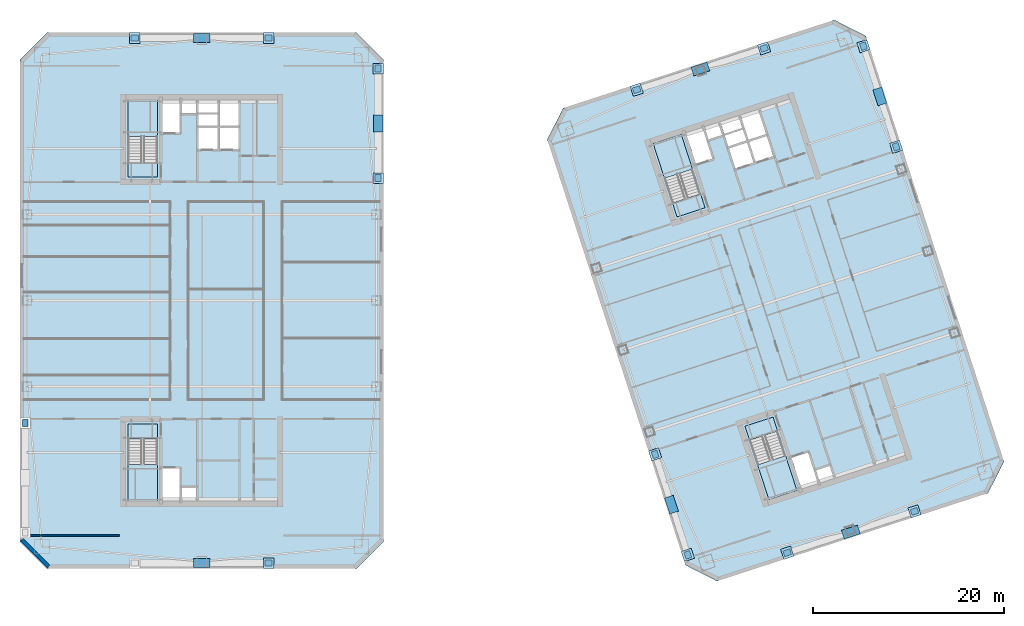
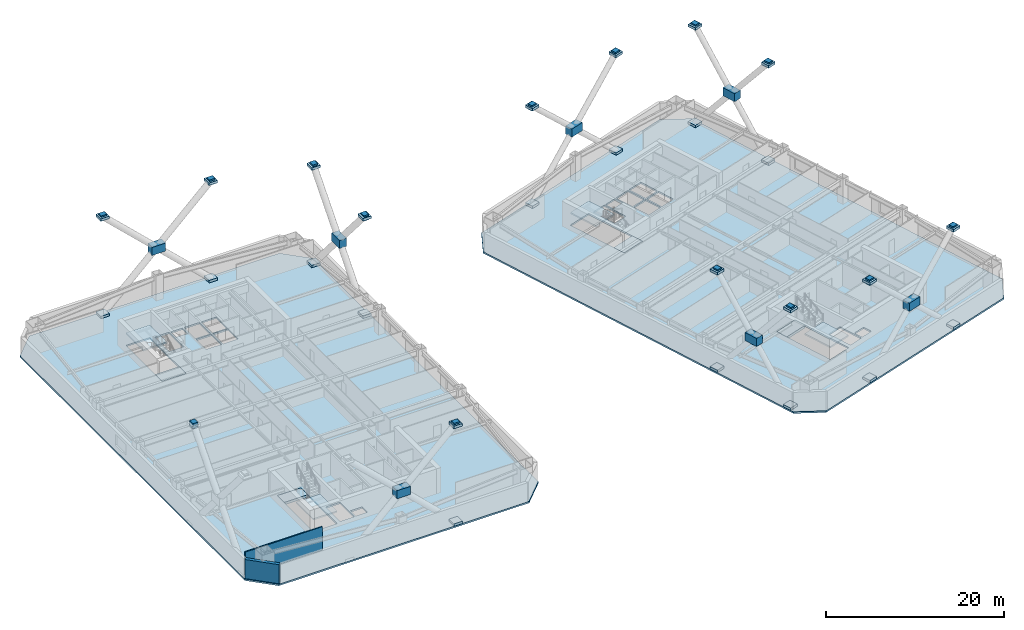
# One storey, part 3 of 12: 47 plates, 10 slabs, 2 walls, 4 elements without a shape of their own.
"""IFC4 building model written with IfcOpenShell, lengths in metres."""

from ifc_helpers import new_model, si_unit, direction, frame, frame_2d, origin, origin_2d, place, context, subcontext, project, spatial, polyline, rectangle, outline, extrude, material, layer, layer_set, type_object, element, aggregate, save


model = new_model("IFC4")

# Units and contexts
model_context = context("Model", 3, precision=1e-05, world=origin(), true_north=direction((0.0, 1.0)))
body_context = subcontext(model_context, "Body", "Model", "MODEL_VIEW")
ifc_project = project(units=[si_unit("LENGTHUNIT", "METRE"), si_unit("AREAUNIT", "SQUARE_METRE"), si_unit("VOLUMEUNIT", "CUBIC_METRE"), si_unit("PLANEANGLEUNIT", "RADIAN"), si_unit("MASSUNIT", "GRAM", prefix="KILO")], contexts=[model_context])

# Site, building, storey
site_placement = place(None, origin())
site = spatial("IfcSite", under=ifc_project, at=site_placement, CompositionType="ELEMENT")
building_placement = place(site_placement, origin())
building = spatial("IfcBuilding", under=site, at=building_placement, Name="Qiaolan Cultural Towers", CompositionType="ELEMENT")
storey_placement = place(building_placement, frame((0.0, 0.0, 106.949951171875)))
storey = spatial("IfcBuildingStorey", under=building, at=storey_placement, Name="L27", CompositionType="ELEMENT", Elevation=106.949951171875)

# Plates
ifc_material_1 = material(Name="Steel Q355B", Category="steel")
ifc_layer_1 = layer(ifc_material_1, 0.035888671875)
ifc_layer_set_1 = layer_set([ifc_layer_1], Name="Steel Q355B")
plate_type_1 = type_object("IfcPlateType", Name="PL-CONN-36", PredefinedType="USERDEFINED", material=ifc_layer_set_1)
for number, where, z_axis, x_axis, name in (
    (1, (11.550048828125, 21.199951171875, 13.1298828125), (0.0, 0.0, 1.0), (0.0, 1.0, 0.0), "L27 Brace End Connection Gusset Plate GP-02-0260"),
    (2, (48.449951171875, 58.25, 13.1298828125), (0.0, 0.0, 1.0), (0.0, 1.0, 0.0), "L27 Brace End Connection Gusset Plate GP-02-0262"),
    (3, (48.449951171875, 46.800048828125, 13.1298828125), (0.0, 0.0, 1.0), (0.0, 1.0, 0.0), "L27 Brace End Connection Gusset Plate GP-02-0263"),
    (4, (37.0, 6.550048828125, 13.1298828125), (0.0, 0.0, 1.0), (1.0, 0.0, 0.0), "L27 Brace End Connection Gusset Plate GP-02-0264"),
    (5, (37.0, 61.449951171875, 13.1298828125), (0.0, 0.0, 1.0), (1.0, 0.0, 0.0), "L27 Brace End Connection Gusset Plate GP-02-0266"),
    (6, (23.0, 61.449951171875, 13.1298828125), (0.0, 0.0, 1.0), (1.0, 0.0, 0.0), "L27 Brace End Connection Gusset Plate GP-02-0267"),
    (7, (77.40234375, 17.920166015625, 13.1298828125), (0.0, 0.0, 1.0), (-0.309016994375, 0.951056516295, 0.0), "L27 Brace End Connection Gusset Plate GP-02-0484"),
    (8, (80.817138671875, 7.410888671875, 13.1298828125), (0.0, 0.0, 1.0), (-0.309016994375, 0.951056516295, 0.0), "L27 Brace End Connection Gusset Plate GP-02-0485"),
    (9, (99.182861328125, 60.589111328125, 13.1298828125), (0.0, 0.0, 1.0), (-0.309016994375, 0.951056516295, 0.0), "L27 Brace End Connection Gusset Plate GP-02-0486"),
    (10, (102.59765625, 50.079833984375, 13.1298828125), (0.0, 0.0, 1.0), (-0.309016994375, 0.951056516295, 0.0), "L27 Brace End Connection Gusset Plate GP-02-0487"),
    (11, (104.52197265625, 11.958740234375, 13.1298828125), (0.0, 0.0, 1.0), (0.951056510902, 0.309017010974, 0.0), "L27 Brace End Connection Gusset Plate GP-02-0488"),
    (12, (91.20703125, 7.632568359375, 13.1298828125), (0.0, 0.0, 1.0), (0.951056510902, 0.309017010974, 0.0), "L27 Brace End Connection Gusset Plate GP-02-0489"),
    (13, (88.79296875, 60.367431640625, 13.1298828125), (0.0, 0.0, 1.0), (0.951056510902, 0.309017010974, 0.0), "L27 Brace End Connection Gusset Plate GP-02-0490"),
    (14, (75.47802734375, 56.041259765625, 13.1298828125), (0.0, 0.0, 1.0), (0.951056510902, 0.309017010974, 0.0), "L27 Brace End Connection Gusset Plate GP-02-0491"),
):
    element("IfcPlate", number, at=place(storey_placement, frame(where, z_axis=z_axis, x_axis=x_axis)), inside=storey, type_object=plate_type_1, Name=name, ObjectType="GUSSET_PLATE", PredefinedType="USERDEFINED", context=body_context, shape_type="SweptSolid", body=[
        extrude(rectangle(XDim=0.739990234375, YDim=0.6201171875, at=origin_2d()), origin(), (0.0, 0.0, 1.0), 0.739990234375),
    ])
ifc_material_2 = material(Name="Steel Q355B", Category="steel")
ifc_layer_2 = layer(ifc_material_2, 0.030029296875)
ifc_layer_set_2 = layer_set([ifc_layer_2], Name="Steel Q355B")
plate_type_2 = type_object("IfcPlateType", Name="PL-ENDCAP-30", PredefinedType="USERDEFINED", material=ifc_layer_set_2)
for number, where, z_axis, x_axis, name in (
    (15, (48.449951171875, 46.800048828125, -0.02490234375), (0.0, 0.0, 1.0), (0.0, 1.0, 0.0), "Hollow Brace End Seal Cap Plate CP-01"),
    (16, (48.449951171875, 58.25, -0.02490234375), (0.0, 0.0, 1.0), (0.0, 1.0, 0.0), "Hollow Brace End Seal Cap Plate CP-01"),
    (17, (48.449951171875, 46.800048828125, 13.324951171875), (0.0, 0.0, 1.0), (0.0, 1.0, 0.0), "Hollow Brace End Seal Cap Plate CP-01"),
    (18, (48.449951171875, 58.25, 13.324951171875), (0.0, 0.0, 1.0), (0.0, 1.0, 0.0), "Hollow Brace End Seal Cap Plate CP-01"),
    (19, (37.0, 6.550048828125, -0.02490234375), (0.0, 0.0, 1.0), (1.0, 0.0, 0.0), "Hollow Brace End Seal Cap Plate CP-01"),
    (20, (37.0, 6.550048828125, 13.324951171875), (0.0, 0.0, 1.0), (1.0, 0.0, 0.0), "Hollow Brace End Seal Cap Plate CP-01"),
    (21, (23.0, 61.449951171875, -0.02490234375), (0.0, 0.0, 1.0), (1.0, 0.0, 0.0), "Hollow Brace End Seal Cap Plate CP-01"),
    (22, (37.0, 61.449951171875, -0.02490234375), (0.0, 0.0, 1.0), (1.0, 0.0, 0.0), "Hollow Brace End Seal Cap Plate CP-01"),
    (23, (23.0, 61.449951171875, 13.324951171875), (0.0, 0.0, 1.0), (1.0, 0.0, 0.0), "Hollow Brace End Seal Cap Plate CP-01"),
    (24, (37.0, 61.449951171875, 13.324951171875), (0.0, 0.0, 1.0), (1.0, 0.0, 0.0), "Hollow Brace End Seal Cap Plate CP-01"),
    (25, (80.817138671875, 7.410888671875, -0.02490234375), (0.0, 0.0, 1.0), (-0.309016994375, 0.951056516295, 0.0), "Hollow Brace End Seal Cap Plate CP-01"),
    (26, (77.40234375, 17.920166015625, -0.02490234375), (0.0, 0.0, 1.0), (-0.309016994375, 0.951056516295, 0.0), "Hollow Brace End Seal Cap Plate CP-01"),
    (27, (80.817138671875, 7.410888671875, 13.324951171875), (0.0, 0.0, 1.0), (-0.309016994375, 0.951056516295, 0.0), "Hollow Brace End Seal Cap Plate CP-01"),
    (28, (77.40234375, 17.920166015625, 13.324951171875), (0.0, 0.0, 1.0), (-0.309016994375, 0.951056516295, 0.0), "Hollow Brace End Seal Cap Plate CP-01"),
    (29, (102.59765625, 50.079833984375, -0.02490234375), (0.0, 0.0, 1.0), (-0.309016994375, 0.951056516295, 0.0), "Hollow Brace End Seal Cap Plate CP-01"),
    (30, (99.182861328125, 60.589111328125, -0.02490234375), (0.0, 0.0, 1.0), (-0.309016994375, 0.951056516295, 0.0), "Hollow Brace End Seal Cap Plate CP-01"),
    (31, (102.59765625, 50.079833984375, 13.324951171875), (0.0, 0.0, 1.0), (-0.309016994375, 0.951056516295, 0.0), "Hollow Brace End Seal Cap Plate CP-01"),
    (32, (99.182861328125, 60.589111328125, 13.324951171875), (0.0, 0.0, 1.0), (-0.309016994375, 0.951056516295, 0.0), "Hollow Brace End Seal Cap Plate CP-01"),
    (33, (91.20703125, 7.632568359375, -0.02490234375), (0.0, 0.0, 1.0), (0.951056516295, 0.309016994375, 0.0), "Hollow Brace End Seal Cap Plate CP-01"),
    (34, (104.52197265625, 11.958740234375, -0.02490234375), (0.0, 0.0, 1.0), (0.951056516295, 0.309016994375, 0.0), "Hollow Brace End Seal Cap Plate CP-01"),
    (35, (91.20703125, 7.632568359375, 13.324951171875), (0.0, 0.0, 1.0), (0.951056516295, 0.309016994375, 0.0), "Hollow Brace End Seal Cap Plate CP-01"),
    (36, (104.52197265625, 11.958740234375, 13.324951171875), (0.0, 0.0, 1.0), (0.951056516295, 0.309016994375, 0.0), "Hollow Brace End Seal Cap Plate CP-01"),
    (37, (75.47802734375, 56.041259765625, -0.02490234375), (0.0, 0.0, 1.0), (0.951056516295, 0.309016994375, 0.0), "Hollow Brace End Seal Cap Plate CP-01"),
    (38, (88.79296875, 60.367431640625, -0.02490234375), (0.0, 0.0, 1.0), (0.951056516295, 0.309016994375, 0.0), "Hollow Brace End Seal Cap Plate CP-01"),
    (39, (75.47802734375, 56.041259765625, 13.324951171875), (0.0, 0.0, 1.0), (0.951056516295, 0.309016994375, 0.0), "Hollow Brace End Seal Cap Plate CP-01"),
    (40, (88.79296875, 60.367431640625, 13.324951171875), (0.0, 0.0, 1.0), (0.951056516295, 0.309016994375, 0.0), "Hollow Brace End Seal Cap Plate CP-01"),
):
    element("IfcPlate", number, at=place(storey_placement, frame(where, z_axis=z_axis, x_axis=x_axis)), inside=storey, type_object=plate_type_2, Name=name, ObjectType="BASE_PLATE", PredefinedType="USERDEFINED", context=body_context, shape_type="SweptSolid", body=[
        extrude(rectangle(XDim=1.10009765625, YDim=1.10009765625, at=origin_2d()), origin(), (0.0, 0.0, 1.0), 0.35009765625),
    ])
ifc_material_3 = material(Name="Steel Q390GJB", Category="steel")
ifc_layer_3 = layer(ifc_material_3, 0.0419921875)
ifc_layer_set_3 = layer_set([ifc_layer_3], Name="Steel Q390GJB")
plate_type_3 = type_object("IfcPlateType", Name="PL-NODE-ND01", PredefinedType="USERDEFINED", material=ifc_layer_set_3)
plate_1_placement = place(storey_placement, frame((30.0, 61.449951171875, 6.27490234375), z_axis=(0.0, 0.0, 1.0), x_axis=(1.0, 0.0, 0.0)))
element("IfcPlate", 41, at=plate_1_placement, inside=storey, type_object=plate_type_3, Name="Perimeter Frame Gusset Node Assembly ND-01", ObjectType="GUSSET_PLATE", PredefinedType="USERDEFINED", context=body_context, shape_type="SweptSolid", body=[
    extrude(rectangle(XDim=1.760009765625, YDim=0.9599609375, at=origin_2d()), origin(), (0.0, 0.0, 1.0), 1.10009765625),
])
ifc_material_4 = material(Name="Steel Q390GJB", Category="steel")
ifc_layer_4 = layer(ifc_material_4, 0.0439453125)
ifc_layer_set_4 = layer_set([ifc_layer_4], Name="Steel Q390GJB")
plate_type_4 = type_object("IfcPlateType", Name="PL-NODE-ND06", PredefinedType="USERDEFINED", material=ifc_layer_set_4)
plate_2_placement = place(storey_placement, frame((79.109619140625, 12.66552734375, 6.27490234375), z_axis=(0.0, 0.0, 1.0), x_axis=(-0.309016994375, 0.951056516295, 0.0)))
element("IfcPlate", 42, at=plate_2_placement, inside=storey, type_object=plate_type_4, Name="Perimeter Frame Gusset Node Assembly ND-06", ObjectType="GUSSET_PLATE", PredefinedType="USERDEFINED", context=body_context, shape_type="SweptSolid", body=[
    extrude(rectangle(XDim=1.760009765625, YDim=0.9599609375, at=origin_2d()), origin(), (0.0, 0.0, 1.0), 1.10009765625),
])
ifc_material_5 = material(Name="Steel Q390GJB", Category="steel")
ifc_layer_5 = layer(ifc_material_5, 0.0458984375)
ifc_layer_set_5 = layer_set([ifc_layer_5], Name="Steel Q390GJB")
plate_type_5 = type_object("IfcPlateType", Name="PL-NODE-ND07", PredefinedType="USERDEFINED", material=ifc_layer_set_5)
plate_3_placement = place(storey_placement, frame((100.890380859375, 55.33447265625, 6.27490234375), z_axis=(0.0, 0.0, 1.0), x_axis=(-0.309016994375, 0.951056516295, 0.0)))
element("IfcPlate", 43, at=plate_3_placement, inside=storey, type_object=plate_type_5, Name="Perimeter Frame Gusset Node Assembly ND-07", ObjectType="GUSSET_PLATE", PredefinedType="USERDEFINED", context=body_context, shape_type="SweptSolid", body=[
    extrude(rectangle(XDim=1.760009765625, YDim=0.9599609375, at=origin_2d()), origin(), (0.0, 0.0, 1.0), 1.10009765625),
])
ifc_material_6 = material(Name="Steel Q390GJB", Category="steel")
ifc_layer_6 = layer(ifc_material_6, 0.0400390625)
ifc_layer_set_6 = layer_set([ifc_layer_6], Name="Steel Q390GJB")
plate_type_6 = type_object("IfcPlateType", Name="PL-NODE-ND08", PredefinedType="USERDEFINED", material=ifc_layer_set_6)
plate_4_placement = place(storey_placement, frame((97.864501953125, 9.795654296875, 6.27490234375), z_axis=(0.0, 0.0, 1.0), x_axis=(0.951056516295, 0.309016994375, 0.0)))
element("IfcPlate", 44, at=plate_4_placement, inside=storey, type_object=plate_type_6, Name="Perimeter Frame Gusset Node Assembly ND-08", ObjectType="GUSSET_PLATE", PredefinedType="USERDEFINED", context=body_context, shape_type="SweptSolid", body=[
    extrude(rectangle(XDim=1.760009765625, YDim=0.9599609375, at=origin_2d()), origin(), (0.0, 0.0, 1.0), 1.10009765625),
])
ifc_material_7 = material(Name="Steel Q390GJB", Category="steel")
ifc_layer_7 = layer(ifc_material_7, 0.0419921875)
ifc_layer_set_7 = layer_set([ifc_layer_7], Name="Steel Q390GJB")
plate_type_7 = type_object("IfcPlateType", Name="PL-NODE-ND09", PredefinedType="USERDEFINED", material=ifc_layer_set_7)
plate_5_placement = place(storey_placement, frame((82.135498046875, 58.204345703125, 6.27490234375), z_axis=(0.0, 0.0, 1.0), x_axis=(0.951056516295, 0.309016994375, 0.0)))
element("IfcPlate", 45, at=plate_5_placement, inside=storey, type_object=plate_type_7, Name="Perimeter Frame Gusset Node Assembly ND-09", ObjectType="GUSSET_PLATE", PredefinedType="USERDEFINED", context=body_context, shape_type="SweptSolid", body=[
    extrude(rectangle(XDim=1.760009765625, YDim=0.9599609375, at=origin_2d()), origin(), (0.0, 0.0, 1.0), 1.10009765625),
])
ifc_material_8 = material(Name="Steel Q390GJB", Category="steel")
ifc_layer_8 = layer(ifc_material_8, 0.0458984375)
ifc_layer_set_8 = layer_set([ifc_layer_8], Name="Steel Q390GJB")
plate_type_8 = type_object("IfcPlateType", Name="PL-NODE-ND11", PredefinedType="USERDEFINED", material=ifc_layer_set_8)
plate_6_placement = place(storey_placement, frame((48.449951171875, 52.52490234375, 6.27490234375), z_axis=(0.0, 0.0, 1.0), x_axis=(0.0, 1.0, 0.0)))
element("IfcPlate", 46, at=plate_6_placement, inside=storey, type_object=plate_type_8, Name="Perimeter Frame Gusset Node Assembly ND-11", ObjectType="GUSSET_PLATE", PredefinedType="USERDEFINED", context=body_context, shape_type="SweptSolid", body=[
    extrude(rectangle(XDim=1.760009765625, YDim=0.9599609375, at=origin_2d()), origin(), (0.0, 0.0, 1.0), 1.10009765625),
])
ifc_material_9 = material(Name="Steel Q390GJB", Category="steel")
ifc_layer_9 = layer(ifc_material_9, 0.0400390625)
ifc_layer_set_9 = layer_set([ifc_layer_9], Name="Steel Q390GJB")
plate_type_9 = type_object("IfcPlateType", Name="PL-NODE-ND12", PredefinedType="USERDEFINED", material=ifc_layer_set_9)
plate_7_placement = place(storey_placement, frame((30.0, 6.550048828125, 6.27490234375), z_axis=(0.0, 0.0, 1.0), x_axis=(1.0, 0.0, 0.0)))
element("IfcPlate", 47, at=plate_7_placement, inside=storey, type_object=plate_type_9, Name="Perimeter Frame Gusset Node Assembly ND-12", ObjectType="GUSSET_PLATE", PredefinedType="USERDEFINED", context=body_context, shape_type="SweptSolid", body=[
    extrude(rectangle(XDim=1.760009765625, YDim=0.9599609375, at=origin_2d()), origin(), (0.0, 0.0, 1.0), 1.10009765625),
])

# Stair, slab
ifc_material_10 = material(Name="Concrete C45", Category="concrete")
stair_type = type_object("IfcStairType", Name="STR-CORE-1500", PredefinedType="HALF_TURN_STAIR", material=ifc_material_10)
stair_1_placement = place(storey_placement, origin())
stair_1 = element("IfcStair", 48, at=stair_1_placement, inside=storey, type_object=stair_type, Name="L27 Smokeproof Exit Stair ST-W1", PredefinedType="HALF_TURN_STAIR")
ifc_material_11 = material(Name="Concrete C45", Category="concrete")
ifc_layer_10 = layer(ifc_material_11, 0.199951171875)
ifc_layer_set_10 = layer_set([ifc_layer_10], Name="Concrete C45")
slab_type_1 = type_object("IfcSlabType", Name="SL-STAIR-LAND", PredefinedType="LANDING", material=ifc_layer_set_10)
slab_1_placement = place(storey_placement, frame((0.0, 0.0, 1.525146484375)))
slab_1 = element("IfcSlab", 49, at=slab_1_placement, type_object=slab_type_1, Name="ST-W1 landing 1", PredefinedType="LANDING", context=body_context, shape_type="SweptSolid", body=[
    extrude(outline(polyline([(22.300048828125, 16.851318359375), (22.300048828125, 13.0), (25.3798828125, 13.0), (25.3798828125, 16.851318359375), (22.300048828125, 16.851318359375)])), origin(), (0.0, 0.0, 1.0), 0.199951171875),
])
aggregate(stair_1, [slab_1])

stair_2_placement = place(storey_placement, origin())
stair_2 = element("IfcStair", 50, at=stair_2_placement, inside=storey, type_object=stair_type, Name="L27 Smokeproof Exit Stair ST-W2", PredefinedType="HALF_TURN_STAIR")
slab_2_placement = place(storey_placement, frame((0.0, 0.0, 1.525146484375)))
slab_2 = element("IfcSlab", 51, at=slab_2_placement, type_object=slab_type_1, Name="ST-W2 landing 1", PredefinedType="LANDING", context=body_context, shape_type="SweptSolid", body=[
    extrude(outline(polyline([(25.3798828125, 51.148681640625), (25.3798828125, 55.0), (22.300048828125, 55.0), (22.300048828125, 51.148681640625), (25.3798828125, 51.148681640625)])), origin(), (0.0, 0.0, 1.0), 0.199951171875),
])
aggregate(stair_2, [slab_2])

stair_3_placement = place(storey_placement, origin())
stair_3 = element("IfcStair", 52, at=stair_3_placement, inside=storey, type_object=stair_type, Name="L27 Smokeproof Exit Stair ST-E1", PredefinedType="HALF_TURN_STAIR")
slab_3_placement = place(storey_placement, frame((0.0, 0.0, 1.525146484375)))
slab_3 = element("IfcSlab", 53, at=slab_3_placement, type_object=slab_type_1, Name="ST-E1 landing 1", PredefinedType="LANDING", context=body_context, shape_type="SweptSolid", body=[
    extrude(outline(polyline([(88.114013671875, 16.828125), (89.30419921875, 13.165283203125), (92.2333984375, 14.116943359375), (91.04345703125, 17.77978515625), (88.114013671875, 16.828125)])), origin(), (0.0, 0.0, 1.0), 0.199951171875),
])
aggregate(stair_3, [slab_3])

stair_4_placement = place(storey_placement, origin())
stair_4 = element("IfcStair", 54, at=stair_4_placement, inside=storey, type_object=stair_type, Name="L27 Smokeproof Exit Stair ST-E2", PredefinedType="HALF_TURN_STAIR")
slab_4_placement = place(storey_placement, frame((0.0, 0.0, 1.525146484375)))
slab_4 = element("IfcSlab", 55, at=slab_4_placement, type_object=slab_type_1, Name="ST-E2 landing 1", PredefinedType="LANDING", context=body_context, shape_type="SweptSolid", body=[
    extrude(outline(polyline([(81.31005859375, 47.735595703125), (80.1201171875, 51.3984375), (77.190673828125, 50.44677734375), (78.380859375, 46.783935546875), (81.31005859375, 47.735595703125)])), origin(), (0.0, 0.0, 1.0), 0.199951171875),
])
aggregate(stair_4, [slab_4])

# Slabs
ifc_material_12 = material(Name="Concrete C40", Category="concrete")
ifc_layer_11 = layer(ifc_material_12, 0.360107421875)
ifc_layer_set_11 = layer_set([ifc_layer_11], Name="Concrete C40")
slab_type_2 = type_object("IfcSlabType", Name="SL-STFLR-360", PredefinedType="LANDING", material=ifc_layer_set_11)
slab_5_placement = place(storey_placement, frame((0.0, 0.0, -0.35986328125)))
element("IfcSlab", 56, at=slab_5_placement, inside=storey, type_object=slab_type_2, Name="L27 ST-W1 Stair Floor Landing Slab", PredefinedType="LANDING", context=body_context, shape_type="SweptSolid", body=[
    extrude(outline(polyline([(22.302001953125, 21.097900390625), (22.302001953125, 19.548583984375), (25.3779296875, 19.548583984375), (25.3779296875, 21.097900390625), (22.302001953125, 21.097900390625)])), origin(), (0.0, 0.0, 1.0), 0.35986328125),
])
slab_6_placement = place(storey_placement, frame((0.0, 0.0, -0.35986328125)))
element("IfcSlab", 57, at=slab_6_placement, inside=storey, type_object=slab_type_2, Name="L27 ST-W2 Stair Floor Landing Slab", PredefinedType="LANDING", context=body_context, shape_type="SweptSolid", body=[
    extrude(outline(polyline([(25.3779296875, 46.902099609375), (25.3779296875, 48.451416015625), (22.302001953125, 48.451416015625), (22.302001953125, 46.902099609375), (25.3779296875, 46.902099609375)])), origin(), (0.0, 0.0, 1.0), 0.35986328125),
])
slab_7_placement = place(storey_placement, frame((0.0, 0.0, -0.35986328125)))
element("IfcSlab", 58, at=slab_7_placement, inside=storey, type_object=slab_type_2, Name="L27 ST-E1 Stair Floor Landing Slab", PredefinedType="LANDING", context=body_context, shape_type="SweptSolid", body=[
    extrude(outline(polyline([(86.8037109375, 20.867431640625), (87.282470703125, 19.39404296875), (90.2080078125, 20.3447265625), (89.729248046875, 21.818115234375), (86.8037109375, 20.867431640625)])), origin(), (0.0, 0.0, 1.0), 0.35986328125),
])
slab_8_placement = place(storey_placement, frame((0.0, 0.0, -0.35986328125)))
element("IfcSlab", 59, at=slab_8_placement, inside=storey, type_object=slab_type_2, Name="L27 ST-E2 Stair Floor Landing Slab", PredefinedType="LANDING", context=body_context, shape_type="SweptSolid", body=[
    extrude(outline(polyline([(82.62060546875, 43.6962890625), (82.141845703125, 45.169677734375), (79.21630859375, 44.21923828125), (79.695068359375, 42.74560546875), (82.62060546875, 43.6962890625)])), origin(), (0.0, 0.0, 1.0), 0.35986328125),
])
ifc_material_13 = material(Name="Concrete C45", Category="concrete")
ifc_layer_12 = layer(ifc_material_13, 0.219970703125)
ifc_layer_set_12 = layer_set([ifc_layer_12], Name="Concrete C45")
slab_type_3 = type_object("IfcSlabType", Name="SL-TYP-220", PredefinedType="FLOOR", material=ifc_layer_set_12)
slab_9_placement = place(storey_placement, frame((0.0, 0.0, -0.219970703125)))
element("IfcSlab", 60, at=slab_9_placement, inside=storey, type_object=slab_type_3, Name="L27 West Tower Floor Slab", PredefinedType="FLOOR", context=body_context, shape_type="SweptSolid", body=[
    extrude(outline(polyline([(13.800048828125, 6.0), (46.199951171875, 6.0), (49.0, 8.800048828125), (49.0, 59.199951171875), (46.199951171875, 62.0), (13.800048828125, 62.0), (11.0, 59.199951171875), (11.0, 8.800048828125), (13.800048828125, 6.0)]), holes=[polyline([(22.300048828125, 21.10009765625), (22.300048828125, 13.0), (25.3798828125, 13.0), (25.3798828125, 21.10009765625), (22.300048828125, 21.10009765625)]), polyline([(25.3798828125, 46.89990234375), (25.3798828125, 55.0), (22.300048828125, 55.0), (22.300048828125, 46.89990234375), (25.3798828125, 46.89990234375)]), polyline([(25.89990234375, 13.199951171875), (27.75, 13.199951171875), (27.75, 16.449951171875), (25.89990234375, 16.449951171875), (25.89990234375, 13.199951171875)]), polyline([(27.93994140625, 13.25), (29.449951171875, 13.25), (29.449951171875, 14.419921875), (27.93994140625, 14.419921875), (27.93994140625, 13.25)]), polyline([(25.89990234375, 51.550048828125), (27.75, 51.550048828125), (27.75, 54.800048828125), (25.89990234375, 54.800048828125), (25.89990234375, 51.550048828125)]), polyline([(27.93994140625, 53.580078125), (29.449951171875, 53.580078125), (29.449951171875, 54.75), (27.93994140625, 54.75), (27.93994140625, 53.580078125)]), polyline([(29.679931640625, 49.820068359375), (31.679931640625, 49.820068359375), (31.679931640625, 52.080078125), (29.679931640625, 52.080078125), (29.679931640625, 49.820068359375)]), polyline([(31.8798828125, 49.820068359375), (33.820068359375, 49.820068359375), (33.820068359375, 52.080078125), (31.8798828125, 52.080078125), (31.8798828125, 49.820068359375)]), polyline([(29.679931640625, 52.27001953125), (31.659912109375, 52.27001953125), (31.659912109375, 54.75), (29.679931640625, 54.75), (29.679931640625, 52.27001953125)]), polyline([(31.8798828125, 52.27001953125), (33.820068359375, 52.27001953125), (33.820068359375, 54.75), (31.8798828125, 54.75), (31.8798828125, 52.27001953125)])]), origin(), (0.0, 0.0, 1.0), 0.219970703125),
])
slab_10_placement = place(storey_placement, frame((0.0, 0.0, -0.219970703125)))
element("IfcSlab", 61, at=slab_10_placement, inside=storey, type_object=slab_type_3, Name="L27 East Tower Floor Slab", PredefinedType="FLOOR", context=body_context, shape_type="SweptSolid", body=[
    extrude(outline(polyline([(83.86376953125, 4.668212890625), (112.205078125, 13.876953125), (113.87451171875, 17.153076171875), (99.41259765625, 61.66259765625), (96.13623046875, 63.331787109375), (67.794921875, 54.123046875), (66.12548828125, 50.846923828125), (80.58740234375, 6.33740234375), (83.86376953125, 4.668212890625)]), holes=[polyline([(86.80126953125, 20.868896484375), (89.30419921875, 13.165283203125), (92.2333984375, 14.116943359375), (89.73046875, 21.820556640625), (86.80126953125, 20.868896484375)]), polyline([(82.623046875, 43.69482421875), (80.1201171875, 51.3984375), (77.190673828125, 50.44677734375), (79.69384765625, 42.7431640625), (82.623046875, 43.69482421875)]), polyline([(92.666259765625, 14.468017578125), (94.42578125, 15.03955078125), (93.42138671875, 18.130615234375), (91.661865234375, 17.558837890625), (92.666259765625, 14.468017578125)]), polyline([(94.5908203125, 15.14599609375), (96.027099609375, 15.612548828125), (95.66552734375, 16.725341796875), (94.2294921875, 16.258544921875), (94.5908203125, 15.14599609375)]), polyline([(81.6806640625, 48.278076171875), (83.440185546875, 48.849609375), (82.435791015625, 51.940673828125), (80.67626953125, 51.368896484375), (81.6806640625, 48.278076171875)]), polyline([(82.993408203125, 50.839111328125), (84.4296875, 51.3056640625), (84.068115234375, 52.41845703125), (82.632080078125, 51.95166015625), (82.993408203125, 50.839111328125)]), polyline([(85.810302734375, 47.80078125), (87.71240234375, 48.418701171875), (87.013916015625, 50.568115234375), (85.11181640625, 49.9501953125), (85.810302734375, 47.80078125)]), polyline([(87.902587890625, 48.480712890625), (89.74755859375, 49.080078125), (89.04931640625, 51.2294921875), (87.2041015625, 50.6298828125), (87.902587890625, 48.480712890625)]), polyline([(85.05322265625, 50.130859375), (86.936279296875, 50.74267578125), (86.169921875, 53.101318359375), (84.286865234375, 52.489501953125), (85.05322265625, 50.130859375)]), polyline([(87.1455078125, 50.810791015625), (88.990478515625, 51.41015625), (88.22412109375, 53.768798828125), (86.379150390625, 53.169189453125), (87.1455078125, 50.810791015625)])]), origin(), (0.0, 0.0, 1.0), 0.219970703125),
])

# Walls
ifc_material_14 = material(Name="Precast Concrete C50 Honed Stone Pier", Category="masonry")
ifc_layer_13 = layer(ifc_material_14, 0.39990234375)
ifc_layer_set_13 = layer_set([ifc_layer_13], Name="Precast Concrete C50 Honed Stone Pier")
wall_type_1 = type_object("IfcWallType", Name="WL-EXT-PIER-400", PredefinedType="SOLIDWALL", material=ifc_layer_set_13)
wall_1_placement = place(storey_placement, frame((14.0, 6.199951171875, 0.0), z_axis=(0.0, 0.0, 1.0), x_axis=(-0.707106781187, 0.707106781187, 0.0)))
element("IfcWall", 62, at=wall_1_placement, inside=storey, type_object=wall_type_1, Name="L27 West Tower Precast Pier Facade Wall F8", PredefinedType="SOLIDWALL", context=body_context, shape_type="SweptSolid", body=[
    extrude(rectangle(XDim=3.9599609375, YDim=0.39990234375, at=frame_2d((1.97998046875, 0.0))), origin(), (0.0, 0.0, 1.0), 2.610107421875),
])
ifc_material_15 = material(Name="Autoclaved Aerated Concrete Block B06", Category="concrete")
ifc_layer_14 = layer(ifc_material_15, 0.14990234375)
ifc_layer_set_14 = layer_set([ifc_layer_14], Name="Autoclaved Aerated Concrete Block B06")
wall_type_2 = type_object("IfcWallType", Name="WL-PART-150", PredefinedType="PARTITIONING", material=ifc_layer_set_14)
wall_2_placement = place(storey_placement, frame((11.39990234375, 9.449951171875, 0.0), z_axis=(0.0, 0.0, 1.0), x_axis=(1.0, 0.0, 0.0)))
element("IfcWall", 63, at=wall_2_placement, inside=storey, type_object=wall_type_2, Name="L27 T1 Flank Wall FLK-SW", PredefinedType="PARTITIONING", context=body_context, shape_type="SweptSolid", body=[
    extrude(rectangle(XDim=10.0, YDim=0.14990234375, at=frame_2d((5.0, 0.0))), origin(), (0.0, 0.0, 1.0), 3.175048828125),
])

save(model, "model.ifc")
